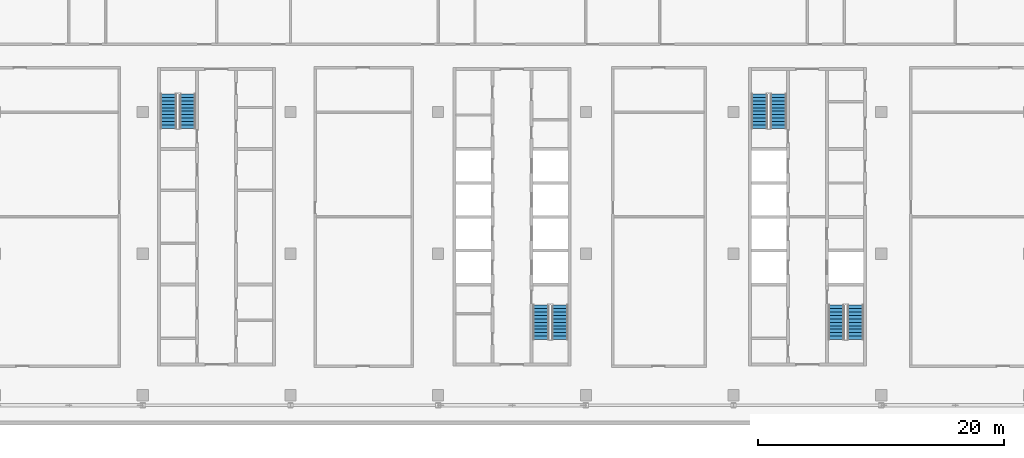
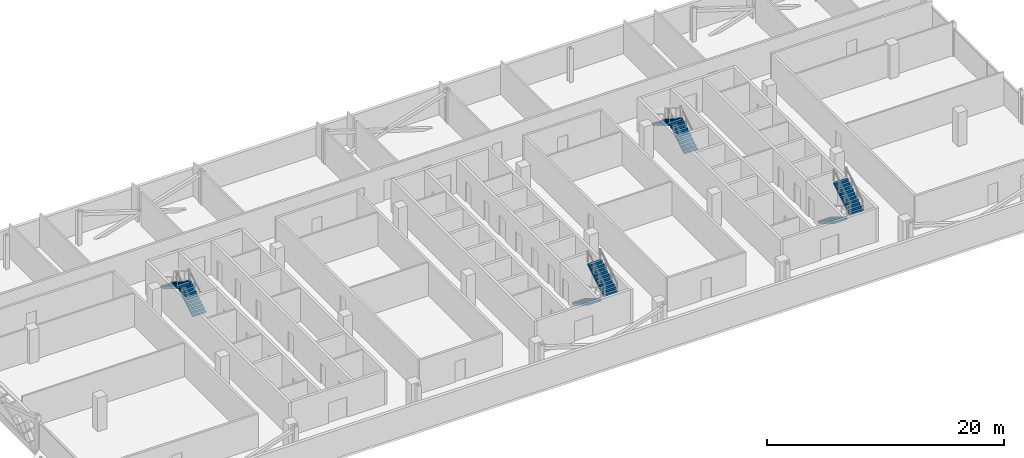
# One storey, part 19 of 28: 8 stair flights, 4 elements without a shape of their own.
"""IFC4 building model written with IfcOpenShell, lengths in metres."""

from ifc_helpers import new_model, si_unit, direction, frame, origin, place, context, subcontext, project, spatial, polyline, outline, extrude, material, type_object, element, aggregate, save


model = new_model("IFC4")

# Units and contexts
model_context = context("Model", 3, precision=1e-05, world=origin(), true_north=direction((0.0, 1.0)))
body_context = subcontext(model_context, "Body", "Model", "MODEL_VIEW")
ifc_project = project(units=[si_unit("LENGTHUNIT", "METRE"), si_unit("AREAUNIT", "SQUARE_METRE"), si_unit("VOLUMEUNIT", "CUBIC_METRE"), si_unit("PLANEANGLEUNIT", "RADIAN"), si_unit("MASSUNIT", "GRAM", prefix="KILO")], contexts=[model_context])

# Site, building, storey
site_placement = place(None, origin())
site = spatial("IfcSite", under=ifc_project, at=site_placement, CompositionType="ELEMENT")
building_placement = place(site_placement, origin())
building = spatial("IfcBuilding", under=site, at=building_placement, Name="Mahtab Terrace Research Tower", CompositionType="ELEMENT")
storey_placement = place(building_placement, frame((0.0, 0.0, 267.10009765625)))
storey = spatial("IfcBuildingStorey", under=building, at=storey_placement, Name="L65", CompositionType="ELEMENT", Elevation=267.10009765625)

# Stair, stair flights
ifc_material_1 = material(Name="Exit stair half-turn")
stair_type = type_object("IfcStairType", Name="Exit stair half-turn", PredefinedType="HALF_TURN_STAIR", material=ifc_material_1)
stair_1_placement = place(storey_placement, origin())
stair_1 = element("IfcStair", 1, at=stair_1_placement, inside=storey, type_object=stair_type, Name="L65 Protected exit stair ST1", PredefinedType="HALF_TURN_STAIR")
ifc_material_2 = material(Name="Concrete C40/50", Category="concrete")
stair_flight_type = type_object("IfcStairFlightType", Name="Exit stair flight 1300", PredefinedType="STRAIGHT", material=ifc_material_2)
stair_flight_1_placement = place(storey_placement, frame((-26.35009765625, 10.175048828125, 0.0), z_axis=(0.0, 0.0, 1.0), x_axis=(0.0, 1.0, 0.0)))
stair_flight_1 = element("IfcStairFlight", 2, at=stair_flight_1_placement, type_object=stair_flight_type, Name="ST1 flight 1", NumberOfRisers=11, NumberOfTreads=10, PredefinedType="STRAIGHT", RiserHeight=0.172727273, TreadLength=0.28, context=body_context, shape_type="SweptSolid", body=[
    extrude(outline(polyline([(0.0, 0.0), (0.0, 0.172607421875), (0.280029296875, 0.172607421875), (0.280029296875, 0.345458984375), (0.56005859375, 0.345458984375), (0.56005859375, 0.51806640625), (0.840087890625, 0.51806640625), (0.840087890625, 0.69091796875), (1.1201171875, 0.69091796875), (1.1201171875, 0.863525390625), (1.39990234375, 0.863525390625), (1.39990234375, 1.036376953125), (1.679931640625, 1.036376953125), (1.679931640625, 1.208984375), (1.9599609375, 1.208984375), (1.9599609375, 1.3818359375), (2.239990234375, 1.3818359375), (2.239990234375, 1.554443359375), (2.52001953125, 1.554443359375), (2.52001953125, 1.727294921875), (2.800048828125, 1.727294921875), (2.800048828125, 1.89990234375), (2.800048828125, 1.551025390625), (0.285400390625, 0.0), (0.0, 0.0)])), frame((0.0, 0.64990234375, 0.0), z_axis=(0.0, -1.0, 0.0), x_axis=(1.0, 0.0, 0.0)), (0.0, 0.0, 1.0), 1.300048828125),
])
stair_flight_2_placement = place(storey_placement, frame((-27.89990234375, 12.97509765625, 1.89990234375), z_axis=(0.0, 0.0, 1.0), x_axis=(0.0, -1.0, 0.0)))
stair_flight_2 = element("IfcStairFlight", 3, at=stair_flight_2_placement, type_object=stair_flight_type, Name="ST1 flight 2", NumberOfRisers=11, NumberOfTreads=10, PredefinedType="STRAIGHT", RiserHeight=0.172727273, TreadLength=0.28, context=body_context, shape_type="SweptSolid", body=[
    extrude(outline(polyline([(0.0, 0.0), (0.0, 0.172607421875), (0.280029296875, 0.172607421875), (0.280029296875, 0.345458984375), (0.56005859375, 0.345458984375), (0.56005859375, 0.51806640625), (0.840087890625, 0.51806640625), (0.840087890625, 0.69091796875), (1.1201171875, 0.69091796875), (1.1201171875, 0.863525390625), (1.39990234375, 0.863525390625), (1.39990234375, 1.036376953125), (1.679931640625, 1.036376953125), (1.679931640625, 1.208984375), (1.9599609375, 1.208984375), (1.9599609375, 1.3818359375), (2.239990234375, 1.3818359375), (2.239990234375, 1.554443359375), (2.52001953125, 1.554443359375), (2.52001953125, 1.727294921875), (2.800048828125, 1.727294921875), (2.800048828125, 1.89990234375), (2.800048828125, 1.551025390625), (0.285400390625, 0.0), (0.0, 0.0)])), frame((0.0, 0.64990234375, 0.0), z_axis=(0.0, -1.0, 0.0), x_axis=(1.0, 0.0, 0.0)), (0.0, 0.0, 1.0), 1.300048828125),
])
aggregate(stair_1, [stair_flight_1, stair_flight_2])

stair_2_placement = place(storey_placement, origin())
stair_2 = element("IfcStair", 4, at=stair_2_placement, inside=storey, type_object=stair_type, Name="L65 Protected exit stair ST2", PredefinedType="HALF_TURN_STAIR")
stair_flight_3_placement = place(storey_placement, frame((2.35009765625, -4.175048828125, 0.0), z_axis=(0.0, 0.0, 1.0), x_axis=(0.0, -1.0, 0.0)))
stair_flight_3 = element("IfcStairFlight", 5, at=stair_flight_3_placement, type_object=stair_flight_type, Name="ST2 flight 1", NumberOfRisers=11, NumberOfTreads=10, PredefinedType="STRAIGHT", RiserHeight=0.172727273, TreadLength=0.28, context=body_context, shape_type="SweptSolid", body=[
    extrude(outline(polyline([(0.0, 0.0), (0.0, 0.172607421875), (0.280029296875, 0.172607421875), (0.280029296875, 0.345458984375), (0.56005859375, 0.345458984375), (0.56005859375, 0.51806640625), (0.840087890625, 0.51806640625), (0.840087890625, 0.69091796875), (1.1201171875, 0.69091796875), (1.1201171875, 0.863525390625), (1.39990234375, 0.863525390625), (1.39990234375, 1.036376953125), (1.679931640625, 1.036376953125), (1.679931640625, 1.208984375), (1.9599609375, 1.208984375), (1.9599609375, 1.3818359375), (2.239990234375, 1.3818359375), (2.239990234375, 1.554443359375), (2.52001953125, 1.554443359375), (2.52001953125, 1.727294921875), (2.800048828125, 1.727294921875), (2.800048828125, 1.89990234375), (2.800048828125, 1.551025390625), (0.285400390625, 0.0), (0.0, 0.0)])), frame((0.0, 0.64990234375, 0.0), z_axis=(0.0, -1.0, 0.0), x_axis=(1.0, 0.0, 0.0)), (0.0, 0.0, 1.0), 1.300048828125),
])
stair_flight_4_placement = place(storey_placement, frame((3.89990234375, -6.97509765625, 1.89990234375), z_axis=(0.0, 0.0, 1.0), x_axis=(0.0, 1.0, 0.0)))
stair_flight_4 = element("IfcStairFlight", 6, at=stair_flight_4_placement, type_object=stair_flight_type, Name="ST2 flight 2", NumberOfRisers=11, NumberOfTreads=10, PredefinedType="STRAIGHT", RiserHeight=0.172727273, TreadLength=0.28, context=body_context, shape_type="SweptSolid", body=[
    extrude(outline(polyline([(0.0, 0.0), (0.0, 0.172607421875), (0.280029296875, 0.172607421875), (0.280029296875, 0.345458984375), (0.56005859375, 0.345458984375), (0.56005859375, 0.51806640625), (0.840087890625, 0.51806640625), (0.840087890625, 0.69091796875), (1.1201171875, 0.69091796875), (1.1201171875, 0.863525390625), (1.39990234375, 0.863525390625), (1.39990234375, 1.036376953125), (1.679931640625, 1.036376953125), (1.679931640625, 1.208984375), (1.9599609375, 1.208984375), (1.9599609375, 1.3818359375), (2.239990234375, 1.3818359375), (2.239990234375, 1.554443359375), (2.52001953125, 1.554443359375), (2.52001953125, 1.727294921875), (2.800048828125, 1.727294921875), (2.800048828125, 1.89990234375), (2.800048828125, 1.551025390625), (0.285400390625, 0.0), (0.0, 0.0)])), frame((0.0, 0.64990234375, 0.0), z_axis=(0.0, -1.0, 0.0), x_axis=(1.0, 0.0, 0.0)), (0.0, 0.0, 1.0), 1.300048828125),
])
aggregate(stair_2, [stair_flight_3, stair_flight_4])

stair_3_placement = place(storey_placement, origin())
stair_3 = element("IfcStair", 7, at=stair_3_placement, inside=storey, type_object=stair_type, Name="L65 Protected exit stair ST3", PredefinedType="HALF_TURN_STAIR")
stair_flight_5_placement = place(storey_placement, frame((21.64990234375, 10.175048828125, 0.0), z_axis=(0.0, 0.0, 1.0), x_axis=(0.0, 1.0, 0.0)))
stair_flight_5 = element("IfcStairFlight", 8, at=stair_flight_5_placement, type_object=stair_flight_type, Name="ST3 flight 1", NumberOfRisers=11, NumberOfTreads=10, PredefinedType="STRAIGHT", RiserHeight=0.172727273, TreadLength=0.28, context=body_context, shape_type="SweptSolid", body=[
    extrude(outline(polyline([(0.0, 0.0), (0.0, 0.172607421875), (0.280029296875, 0.172607421875), (0.280029296875, 0.345458984375), (0.56005859375, 0.345458984375), (0.56005859375, 0.51806640625), (0.840087890625, 0.51806640625), (0.840087890625, 0.69091796875), (1.1201171875, 0.69091796875), (1.1201171875, 0.863525390625), (1.39990234375, 0.863525390625), (1.39990234375, 1.036376953125), (1.679931640625, 1.036376953125), (1.679931640625, 1.208984375), (1.9599609375, 1.208984375), (1.9599609375, 1.3818359375), (2.239990234375, 1.3818359375), (2.239990234375, 1.554443359375), (2.52001953125, 1.554443359375), (2.52001953125, 1.727294921875), (2.800048828125, 1.727294921875), (2.800048828125, 1.89990234375), (2.800048828125, 1.551025390625), (0.285400390625, 0.0), (0.0, 0.0)])), frame((0.0, 0.64990234375, 0.0), z_axis=(0.0, -1.0, 0.0), x_axis=(1.0, 0.0, 0.0)), (0.0, 0.0, 1.0), 1.300048828125),
])
stair_flight_6_placement = place(storey_placement, frame((20.10009765625, 12.97509765625, 1.89990234375), z_axis=(0.0, 0.0, 1.0), x_axis=(0.0, -1.0, 0.0)))
stair_flight_6 = element("IfcStairFlight", 9, at=stair_flight_6_placement, type_object=stair_flight_type, Name="ST3 flight 2", NumberOfRisers=11, NumberOfTreads=10, PredefinedType="STRAIGHT", RiserHeight=0.172727273, TreadLength=0.28, context=body_context, shape_type="SweptSolid", body=[
    extrude(outline(polyline([(0.0, 0.0), (0.0, 0.172607421875), (0.280029296875, 0.172607421875), (0.280029296875, 0.345458984375), (0.56005859375, 0.345458984375), (0.56005859375, 0.51806640625), (0.840087890625, 0.51806640625), (0.840087890625, 0.69091796875), (1.1201171875, 0.69091796875), (1.1201171875, 0.863525390625), (1.39990234375, 0.863525390625), (1.39990234375, 1.036376953125), (1.679931640625, 1.036376953125), (1.679931640625, 1.208984375), (1.9599609375, 1.208984375), (1.9599609375, 1.3818359375), (2.239990234375, 1.3818359375), (2.239990234375, 1.554443359375), (2.52001953125, 1.554443359375), (2.52001953125, 1.727294921875), (2.800048828125, 1.727294921875), (2.800048828125, 1.89990234375), (2.800048828125, 1.551025390625), (0.285400390625, 0.0), (0.0, 0.0)])), frame((0.0, 0.64990234375, 0.0), z_axis=(0.0, -1.0, 0.0), x_axis=(1.0, 0.0, 0.0)), (0.0, 0.0, 1.0), 1.300048828125),
])
aggregate(stair_3, [stair_flight_5, stair_flight_6])

stair_4_placement = place(storey_placement, origin())
stair_4 = element("IfcStair", 10, at=stair_4_placement, inside=storey, type_object=stair_type, Name="L65 Protected exit stair ST4", PredefinedType="HALF_TURN_STAIR")
stair_flight_7_placement = place(storey_placement, frame((26.35009765625, -4.175048828125, 0.0), z_axis=(0.0, 0.0, 1.0), x_axis=(0.0, -1.0, 0.0)))
stair_flight_7 = element("IfcStairFlight", 11, at=stair_flight_7_placement, type_object=stair_flight_type, Name="ST4 flight 1", NumberOfRisers=11, NumberOfTreads=10, PredefinedType="STRAIGHT", RiserHeight=0.172727273, TreadLength=0.28, context=body_context, shape_type="SweptSolid", body=[
    extrude(outline(polyline([(0.0, 0.0), (0.0, 0.172607421875), (0.280029296875, 0.172607421875), (0.280029296875, 0.345458984375), (0.56005859375, 0.345458984375), (0.56005859375, 0.51806640625), (0.840087890625, 0.51806640625), (0.840087890625, 0.69091796875), (1.1201171875, 0.69091796875), (1.1201171875, 0.863525390625), (1.39990234375, 0.863525390625), (1.39990234375, 1.036376953125), (1.679931640625, 1.036376953125), (1.679931640625, 1.208984375), (1.9599609375, 1.208984375), (1.9599609375, 1.3818359375), (2.239990234375, 1.3818359375), (2.239990234375, 1.554443359375), (2.52001953125, 1.554443359375), (2.52001953125, 1.727294921875), (2.800048828125, 1.727294921875), (2.800048828125, 1.89990234375), (2.800048828125, 1.551025390625), (0.285400390625, 0.0), (0.0, 0.0)])), frame((0.0, 0.64990234375, 0.0), z_axis=(0.0, -1.0, 0.0), x_axis=(1.0, 0.0, 0.0)), (0.0, 0.0, 1.0), 1.300048828125),
])
stair_flight_8_placement = place(storey_placement, frame((27.89990234375, -6.97509765625, 1.89990234375), z_axis=(0.0, 0.0, 1.0), x_axis=(0.0, 1.0, 0.0)))
stair_flight_8 = element("IfcStairFlight", 12, at=stair_flight_8_placement, type_object=stair_flight_type, Name="ST4 flight 2", NumberOfRisers=11, NumberOfTreads=10, PredefinedType="STRAIGHT", RiserHeight=0.172727273, TreadLength=0.28, context=body_context, shape_type="SweptSolid", body=[
    extrude(outline(polyline([(0.0, 0.0), (0.0, 0.172607421875), (0.280029296875, 0.172607421875), (0.280029296875, 0.345458984375), (0.56005859375, 0.345458984375), (0.56005859375, 0.51806640625), (0.840087890625, 0.51806640625), (0.840087890625, 0.69091796875), (1.1201171875, 0.69091796875), (1.1201171875, 0.863525390625), (1.39990234375, 0.863525390625), (1.39990234375, 1.036376953125), (1.679931640625, 1.036376953125), (1.679931640625, 1.208984375), (1.9599609375, 1.208984375), (1.9599609375, 1.3818359375), (2.239990234375, 1.3818359375), (2.239990234375, 1.554443359375), (2.52001953125, 1.554443359375), (2.52001953125, 1.727294921875), (2.800048828125, 1.727294921875), (2.800048828125, 1.89990234375), (2.800048828125, 1.551025390625), (0.285400390625, 0.0), (0.0, 0.0)])), frame((0.0, 0.64990234375, 0.0), z_axis=(0.0, -1.0, 0.0), x_axis=(1.0, 0.0, 0.0)), (0.0, 0.0, 1.0), 1.300048828125),
])
aggregate(stair_4, [stair_flight_7, stair_flight_8])

save(model, "model.ifc")
